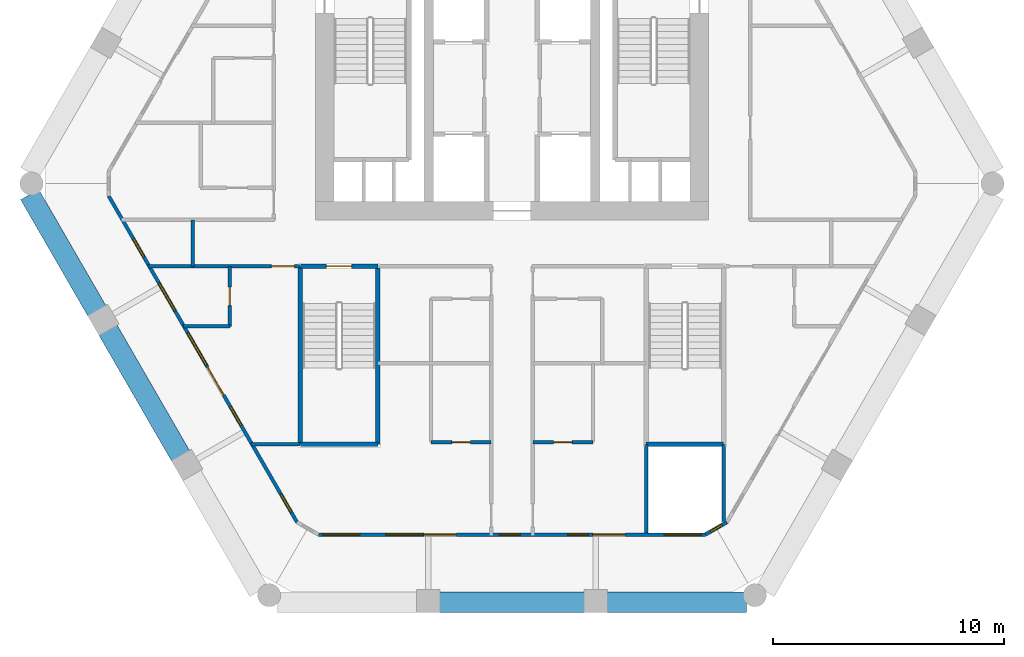
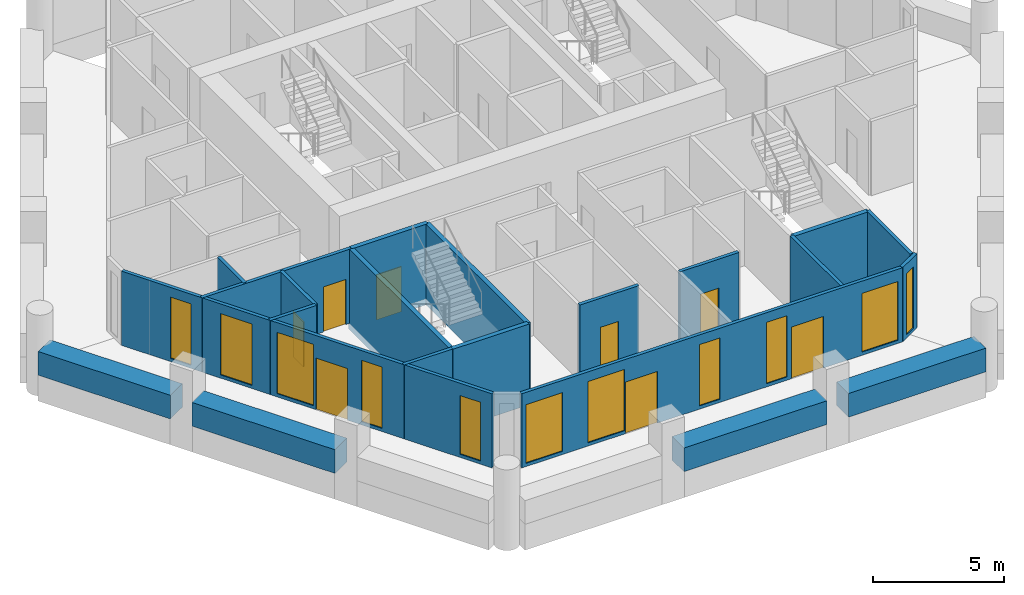
# One storey, part 2 of 7: 21 walls, 11 windows, 8 doors, 19 openings.
"""IFC4 building model written with IfcOpenShell, lengths in metres."""

import ifcopenshell
import ifcopenshell.guid

model = None  # the IFC model being written
_history = None  # IfcOwnerHistory: only IFC2X3 demands one
_inside = {}  # id of a spatial element -> (the spatial element, [elements in it])
_under = {}  # id of a project, library or spatial element -> (it, [spatial elements below it])
_declared = {}  # id of a project -> (the project, [libraries it declares])
_typed = {}  # id of a type object -> (the type object, [elements of that type])
_made_of = {}  # id of a material, layer set ... -> (it, [elements and type objects made of it])


def new_model(schema):
    """Start an empty IFC model of exactly this schema.

    Asked for "IFC4X3", IfcOpenShell would pick the latest addendum, in which some entities
    have other attributes; the version numbers below select the first issue.
    IFC2X3 requires an IfcOwnerHistory on every rooted entity: one is made here for all.
    """
    global model, _history
    if schema == "IFC4X3":
        model = ifcopenshell.file(schema_version=(4, 3, 0, 0))
    else:
        model = ifcopenshell.file(schema=schema)
    _inside.clear()
    _under.clear()
    _declared.clear()
    _typed.clear()
    _made_of.clear()
    _history = None
    if model.schema == "IFC2X3":
        org = make("IfcOrganization", Name="unknown")
        user = make(
            "IfcPersonAndOrganization",
            ThePerson=make("IfcPerson", FamilyName="unknown"),
            TheOrganization=org,
        )
        app = make(
            "IfcApplication",
            ApplicationDeveloper=org,
            Version="unknown",
            ApplicationFullName="unknown",
            ApplicationIdentifier="unknown",
        )
        _history = make(
            "IfcOwnerHistory",
            OwningUser=user,
            OwningApplication=app,
            ChangeAction="ADDED",
            CreationDate=0,
        )
    return model


def make(cls, **values):
    """One entity of the class cls with the attributes given. An attribute that is None is left unset."""
    return model.create_entity(
        cls, **{name: value for name, value in values.items() if value is not None}
    )


def rooted(cls, **values):
    """An entity with a GlobalId (a new one), such as an element, a storey or a relation."""
    return make(cls, GlobalId=ifcopenshell.guid.new(), OwnerHistory=_history, **values)


def si_unit(unit_type, name, prefix=None):
    """IfcSIUnit, for example si_unit("LENGTHUNIT", "METRE", prefix="MILLI")."""
    return make("IfcSIUnit", UnitType=unit_type, Prefix=prefix, Name=name)


def assignment(units):
    """IfcUnitAssignment: the units of a project."""
    return None if units is None else make("IfcUnitAssignment", Units=units)


def point(xyz):
    """IfcCartesianPoint."""
    return None if xyz is None else make("IfcCartesianPoint", Coordinates=xyz)


def direction(xyz):
    """IfcDirection."""
    return None if xyz is None else make("IfcDirection", DirectionRatios=xyz)


def frame(location, z_axis=None, x_axis=None):
    """IfcAxis2Placement3D, a coordinate frame: its origin and axes. An axis left out is left unset."""
    return make(
        "IfcAxis2Placement3D",
        Location=point(location),
        Axis=direction(z_axis),
        RefDirection=direction(x_axis),
    )


def frame_2d(location, x_axis=None):
    """IfcAxis2Placement2D, a coordinate frame in the plane: its origin and x axis."""
    return make(
        "IfcAxis2Placement2D", Location=point(location), RefDirection=direction(x_axis)
    )


def origin():
    """The frame at (0, 0, 0) with its axes left unset."""
    return frame((0.0, 0.0, 0.0))


def place(relative_to, where):
    """IfcLocalPlacement: puts the frame where relative to a parent placement (None: the world)."""
    return make(
        "IfcLocalPlacement", PlacementRelTo=relative_to, RelativePlacement=where
    )


def context(
    kind, dimensions, precision=None, world=None, true_north=None, identifier=None
):
    """IfcGeometricRepresentationContext, for example the 3D "Model" context."""
    return make(
        "IfcGeometricRepresentationContext",
        ContextIdentifier=identifier,
        ContextType=kind,
        CoordinateSpaceDimension=dimensions,
        Precision=precision,
        WorldCoordinateSystem=world,
        TrueNorth=true_north,
    )


def subcontext(parent, identifier, kind, view, scale=None):
    """IfcGeometricRepresentationSubContext, for example "Body" below "Model"."""
    return make(
        "IfcGeometricRepresentationSubContext",
        ContextIdentifier=identifier,
        ContextType=kind,
        ParentContext=parent,
        TargetScale=scale,
        TargetView=view,
    )


def project(units=None, contexts=None):
    """IfcProject with its units and contexts."""
    return rooted(
        "IfcProject",
        Name="project",
        RepresentationContexts=contexts,
        UnitsInContext=assignment(units),
    )


def spatial(cls, under=None, at=None, **own):
    """A site, building, storey or space (cls), placed at a placement, below another one or the project."""
    s = rooted(cls, ObjectPlacement=at, **own)
    if under is not None:
        _under.setdefault(under.id(), (under, []))[1].append(s)
    return s


def profile(cls, at=None, kind="AREA", **sizes):
    """A parametric profile (cls). Its sizes go by their IFC names, for example OverallWidth=200.0."""
    return make(cls, ProfileType=kind, Position=at, **sizes)


def rectangle(**sizes):
    """IfcRectangleProfileDef."""
    return profile("IfcRectangleProfileDef", **sizes)


def extrude(swept, where, along, depth):
    """IfcExtrudedAreaSolid: the profile swept, set in the frame where, extruded along a direction by depth."""
    return make(
        "IfcExtrudedAreaSolid",
        SweptArea=swept,
        Position=where,
        ExtrudedDirection=direction(along),
        Depth=depth,
    )


def shape(context_of_items, identifier, shape_type, items):
    """IfcShapeRepresentation: the items that make up one representation, for example the "Body"."""
    return make(
        "IfcShapeRepresentation",
        ContextOfItems=context_of_items,
        RepresentationIdentifier=identifier,
        RepresentationType=shape_type,
        Items=items,
    )


def material(Name=None, Category=None):
    """IfcMaterial."""
    return make("IfcMaterial", Name=Name, Category=Category)


def layer(
    of_material, thickness, ventilated=None, Name=None, Category=None, Priority=None
):
    """IfcMaterialLayer: one layer of a wall or slab, of a material (None: an air gap)."""
    return make(
        "IfcMaterialLayer",
        Material=of_material,
        LayerThickness=thickness,
        IsVentilated=ventilated,
        Name=Name,
        Category=Category,
        Priority=Priority,
    )


def layer_set(layers, Name=None):
    """IfcMaterialLayerSet."""
    return make("IfcMaterialLayerSet", MaterialLayers=layers, LayerSetName=Name)


def made_of(thing, what):
    """Note that an element or type object is made of a material, layer set ...; save() writes the relation."""
    if what is not None:
        _made_of.setdefault(what.id(), (what, []))[1].append(thing)
    return thing


def type_object(cls, material=None, **own):
    """A type object (cls), such as IfcWallType, which elements share."""
    return made_of(rooted(cls, **own), material)


def element(
    cls,
    number,
    at=None,
    inside=None,
    cuts=None,
    type_object=None,
    material=None,
    context=None,
    identifier="Body",
    shape_type=None,
    held_by="IfcProductDefinitionShape",
    body=None,
    shapes=None,
    **own,
):
    """One element of the class cls, such as IfcWall. Its Tag is "e" and its number.

    at: its placement. inside: the storey or other place that contains it. cuts: it is an
    opening in that element (IfcRelVoidsElement). A single representation is given by context,
    identifier, shape_type and body (its items); several are given by shapes. held_by: the class
    of the entity that holds the representations. save() writes the other relations.
    """
    e = rooted(cls, Tag="e%d" % number, ObjectPlacement=at, **own)
    if body is not None:
        shapes = [shape(context, identifier, shape_type, body)]
    if shapes is not None:
        e.Representation = make(held_by, Representations=shapes)
    if inside is not None:
        _inside.setdefault(inside.id(), (inside, []))[1].append(e)
    if cuts is not None:
        rooted(
            "IfcRelVoidsElement", RelatingBuildingElement=cuts, RelatedOpeningElement=e
        )
    if type_object is not None:
        _typed.setdefault(type_object.id(), (type_object, []))[1].append(e)
    return made_of(e, material)


def fill(opening, filler):
    """IfcRelFillsElement: the door or window that sits in an opening."""
    return rooted(
        "IfcRelFillsElement",
        RelatingOpeningElement=opening,
        RelatedBuildingElement=filler,
    )


def aggregate(whole, parts):
    """IfcRelAggregates: a whole, such as a stair, and the parts it consists of."""
    return rooted("IfcRelAggregates", RelatingObject=whole, RelatedObjects=parts)


def save(model, path):
    """Write the relations noted so far, then the file.

    IfcRelAggregates (storeys below a building ...), IfcRelContainedInSpatialStructure (elements
    in a storey), IfcRelDefinesByType, IfcRelAssociatesMaterial and IfcRelDeclares: one each for
    every whole, place, type object, material and project.
    """
    for whole, parts in _under.values():
        aggregate(whole, parts)
    for where, things in _inside.values():
        rooted(
            "IfcRelContainedInSpatialStructure",
            RelatedElements=things,
            RelatingStructure=where,
        )
    for kind, things in _typed.values():
        rooted("IfcRelDefinesByType", RelatedObjects=things, RelatingType=kind)
    for what, things in _made_of.values():
        rooted("IfcRelAssociatesMaterial", RelatedObjects=things, RelatingMaterial=what)
    for by, libraries in _declared.values():
        rooted("IfcRelDeclares", RelatingContext=by, RelatedDefinitions=libraries)
    model.write(path)


model = new_model("IFC4")

# Units and contexts
model_context = context("Model", 3, precision=1e-05, world=origin(), true_north=direction((0.0, 1.0)))
body_context = subcontext(model_context, "Body", "Model", "MODEL_VIEW")
ifc_project = project(units=[si_unit("LENGTHUNIT", "METRE"), si_unit("AREAUNIT", "SQUARE_METRE"), si_unit("VOLUMEUNIT", "CUBIC_METRE"), si_unit("PLANEANGLEUNIT", "RADIAN"), si_unit("MASSUNIT", "GRAM", prefix="KILO")], contexts=[model_context])

# Site, building, storey
site_placement = place(None, origin())
site = spatial("IfcSite", under=ifc_project, at=site_placement, CompositionType="ELEMENT")
building_placement = place(site_placement, origin())
building = spatial("IfcBuilding", under=site, at=building_placement, Name="Ostrander Bayou Hotel Tower", CompositionType="ELEMENT")
storey_placement = place(building_placement, frame((0.0, 0.0, 157.0)))
storey = spatial("IfcBuildingStorey", under=building, at=storey_placement, Name="L38", CompositionType="ELEMENT", Elevation=157.0)

# Wall, openings, door, windows
ifc_material_1 = material(Name="Aluminium framed insulated wall", Category="aluminium")
ifc_layer_1 = layer(ifc_material_1, 0.14990234375)
ifc_layer_set_1 = layer_set([ifc_layer_1], Name="GW1 glass-line wall 150 mm")
wall_type_1 = type_object("IfcWallType", Name="GW1 glass-line wall 150 mm", PredefinedType="SOLIDWALL", material=ifc_layer_set_1)
wall_1_placement = place(storey_placement, frame((-17.42822265625, -0.663330078125, 0.0), z_axis=(0.0, 0.0, 1.0), x_axis=(0.499985985267, -0.866033495043, 0.0)))
wall_1 = element("IfcWall", 1, at=wall_1_placement, inside=storey, type_object=wall_type_1, Name="GW1 L38 SW 1", PredefinedType="SOLIDWALL", context=body_context, shape_type="SweptSolid", body=[
    extrude(rectangle(XDim=16.279296875, YDim=0.14990234375, at=frame_2d((8.1396484375, 0.0))), origin(), (0.0, 0.0, 1.0), 3.449951171875),
])
opening_1_placement = place(wall_1_placement, frame((2.1396484375, 0.0, 0.14990234375)))
opening_1 = element("IfcOpeningElement", 2, at=opening_1_placement, cuts=wall_1, Name="Opening W17", PredefinedType="OPENING", context=body_context, shape_type="SweptSolid", body=[
    extrude(rectangle(XDim=0.89990234375, YDim=2.85009765625, at=frame_2d((0.449951171875, 1.425048828125))), frame((0.0, 0.074951171875, 0.0), z_axis=(0.0, -1.0, 0.0), x_axis=(1.0, 0.0, 0.0)), (0.0, 0.0, 1.0), 0.14990234375),
])
opening_2_placement = place(wall_1_placement, frame((4.339599609375, 0.0, 0.14990234375)))
opening_2 = element("IfcOpeningElement", 3, at=opening_2_placement, cuts=wall_1, Name="Opening W13", PredefinedType="OPENING", context=body_context, shape_type="SweptSolid", body=[
    extrude(rectangle(XDim=1.39990234375, YDim=2.85009765625, at=frame_2d((0.699951171875, 1.425048828125))), frame((0.0, 0.074951171875, 0.0), z_axis=(0.0, -1.0, 0.0), x_axis=(1.0, 0.0, 0.0)), (0.0, 0.0, 1.0), 0.14990234375),
])
opening_3_placement = place(wall_1_placement, frame((6.83251953125, 0.0, 0.14990234375)))
opening_3 = element("IfcOpeningElement", 4, at=opening_3_placement, cuts=wall_1, Name="Opening W3", PredefinedType="OPENING", context=body_context, shape_type="SweptSolid", body=[
    extrude(rectangle(XDim=1.60009765625, YDim=2.85009765625, at=frame_2d((0.800048828125, 1.425048828125))), frame((0.0, 0.074951171875, 0.0), z_axis=(0.0, -1.0, 0.0), x_axis=(1.0, 0.0, 0.0)), (0.0, 0.0, 1.0), 0.14990234375),
])
opening_4_placement = place(wall_1_placement, frame((8.53955078125, 0.0, 0.0)))
opening_4 = element("IfcOpeningElement", 5, at=opening_4_placement, cuts=wall_1, Name="Opening T38-801", PredefinedType="OPENING", context=body_context, shape_type="SweptSolid", body=[
    extrude(rectangle(XDim=1.39990234375, YDim=2.39990234375, at=frame_2d((0.699951171875, 1.199951171875))), frame((0.0, 0.074951171875, 0.0), z_axis=(0.0, -1.0, 0.0), x_axis=(1.0, 0.0, 0.0)), (0.0, 0.0, 1.0), 0.14990234375),
])
opening_5_placement = place(wall_1_placement, frame((10.53955078125, 0.0, 0.14990234375)))
opening_5 = element("IfcOpeningElement", 6, at=opening_5_placement, cuts=wall_1, Name="Opening W17", PredefinedType="OPENING", context=body_context, shape_type="SweptSolid", body=[
    extrude(rectangle(XDim=0.89990234375, YDim=2.85009765625, at=frame_2d((0.449951171875, 1.425048828125))), frame((0.0, 0.074951171875, 0.0), z_axis=(0.0, -1.0, 0.0), x_axis=(1.0, 0.0, 0.0)), (0.0, 0.0, 1.0), 0.14990234375),
])
opening_6_placement = place(wall_1_placement, frame((14.877197265625, 0.0, 0.14990234375)))
opening_6 = element("IfcOpeningElement", 7, at=opening_6_placement, cuts=wall_1, Name="Opening W17", PredefinedType="OPENING", context=body_context, shape_type="SweptSolid", body=[
    extrude(rectangle(XDim=0.89990234375, YDim=2.72998046875, at=frame_2d((0.449951171875, 1.364990234375))), frame((0.0, 0.074951171875, 0.0), z_axis=(0.0, -1.0, 0.0), x_axis=(1.0, 0.0, 0.0)), (0.0, 0.0, 1.0), 0.14990234375),
])
ifc_material_2 = material(Name="Aluminium and clear glass", Category="aluminium")
door_type_1 = type_object("IfcDoorType", Name="SD3 sliding glass door 1400 mm, zone 3", OperationType="SLIDING_TO_LEFT", PredefinedType="DOOR", material=ifc_material_2)
door_1_placement = place(opening_4_placement, origin())
door_1 = element("IfcDoor", 8, at=door_1_placement, inside=storey, type_object=door_type_1, Name="SD3 L38 SW 2", OperationType="SLIDING_TO_RIGHT", OverallHeight=2.39990234375, OverallWidth=1.39990234375, PredefinedType="DOOR", context=body_context, shape_type="SweptSolid", body=[
    extrude(rectangle(XDim=1.39990234375, YDim=2.39990234375, at=frame_2d((0.699951171875, 1.199951171875))), frame((0.0, 0.02490234375, 0.0), z_axis=(0.0, -1.0, 0.0), x_axis=(1.0, 0.0, 0.0)), (0.0, 0.0, 1.0), 0.050048828125),
])
fill(opening_4, door_1)
ifc_material_3 = material(Name="Aluminium and clear glass", Category="aluminium")
window_type_1 = type_object("IfcWindowType", Name="W13 fixed window 1400 mm, bath bay, zone 3", PartitioningType="SINGLE_PANEL", PredefinedType="WINDOW", material=ifc_material_3)
window_1_placement = place(opening_2_placement, origin())
window_1 = element("IfcWindow", 9, at=window_1_placement, inside=storey, type_object=window_type_1, Name="W13 L38 SW 1", OverallHeight=2.85009765625, OverallWidth=1.39990234375, PartitioningType="SINGLE_PANEL", PredefinedType="WINDOW", context=body_context, shape_type="SweptSolid", body=[
    extrude(rectangle(XDim=1.39990234375, YDim=2.85009765625, at=frame_2d((0.699951171875, 1.425048828125))), frame((0.0, 0.030029296875, 0.0), z_axis=(0.0, -1.0, 0.0), x_axis=(1.0, 0.0, 0.0)), (0.0, 0.0, 1.0), 0.06005859375),
])
fill(opening_2, window_1)
ifc_material_4 = material(Name="Aluminium and clear glass", Category="aluminium")
window_type_2 = type_object("IfcWindowType", Name="W17 window 900 mm, zone 3", PartitioningType="SINGLE_PANEL", PredefinedType="WINDOW", material=ifc_material_4)
window_2_placement = place(opening_1_placement, origin())
window_2 = element("IfcWindow", 10, at=window_2_placement, inside=storey, type_object=window_type_2, Name="W17 L38 SW 1", OverallHeight=2.85009765625, OverallWidth=0.89990234375, PartitioningType="SINGLE_PANEL", PredefinedType="WINDOW", context=body_context, shape_type="SweptSolid", body=[
    extrude(rectangle(XDim=0.89990234375, YDim=2.85009765625, at=frame_2d((0.449951171875, 1.425048828125))), frame((0.0, 0.030029296875, 0.0), z_axis=(0.0, -1.0, 0.0), x_axis=(1.0, 0.0, 0.0)), (0.0, 0.0, 1.0), 0.06005859375),
])
fill(opening_1, window_2)
window_3_placement = place(opening_5_placement, origin())
window_3 = element("IfcWindow", 11, at=window_3_placement, inside=storey, type_object=window_type_2, Name="W17 L38 SW 3", OverallHeight=2.85009765625, OverallWidth=0.89990234375, PartitioningType="SINGLE_PANEL", PredefinedType="WINDOW", context=body_context, shape_type="SweptSolid", body=[
    extrude(rectangle(XDim=0.89990234375, YDim=2.85009765625, at=frame_2d((0.449951171875, 1.425048828125))), frame((0.0, 0.030029296875, 0.0), z_axis=(0.0, -1.0, 0.0), x_axis=(1.0, 0.0, 0.0)), (0.0, 0.0, 1.0), 0.06005859375),
])
fill(opening_5, window_3)
window_4_placement = place(opening_6_placement, origin())
window_4 = element("IfcWindow", 12, at=window_4_placement, inside=storey, type_object=window_type_2, Name="W17 L38 SW E21", OverallHeight=2.72998046875, OverallWidth=0.89990234375, PartitioningType="SINGLE_PANEL", PredefinedType="WINDOW", context=body_context, shape_type="SweptSolid", body=[
    extrude(rectangle(XDim=0.89990234375, YDim=2.72998046875, at=frame_2d((0.449951171875, 1.364990234375))), frame((0.0, 0.030029296875, 0.0), z_axis=(0.0, -1.0, 0.0), x_axis=(1.0, 0.0, 0.0)), (0.0, 0.0, 1.0), 0.06005859375),
])
fill(opening_6, window_4)
ifc_material_5 = material(Name="Aluminium and clear glass", Category="aluminium")
window_type_3 = type_object("IfcWindowType", Name="W3 fixed window 1600 mm, zone 3", PartitioningType="SINGLE_PANEL", PredefinedType="WINDOW", material=ifc_material_5)
window_5_placement = place(opening_3_placement, origin())
window_5 = element("IfcWindow", 13, at=window_5_placement, inside=storey, type_object=window_type_3, Name="W3 L38 SW 2", OverallHeight=2.85009765625, OverallWidth=1.60009765625, PartitioningType="SINGLE_PANEL", PredefinedType="WINDOW", context=body_context, shape_type="SweptSolid", body=[
    extrude(rectangle(XDim=1.60009765625, YDim=2.85009765625, at=frame_2d((0.800048828125, 1.425048828125))), frame((0.0, 0.030029296875, 0.0), z_axis=(0.0, -1.0, 0.0), x_axis=(1.0, 0.0, 0.0)), (0.0, 0.0, 1.0), 0.06005859375),
])
fill(opening_3, window_5)

# Wall, openings, doors, windows
wall_2_placement = place(storey_placement, frame((-8.3662109375, -15.294189453125, 0.0), z_axis=(0.0, 0.0, 1.0), x_axis=(1.0, 0.0, 0.0)))
wall_2 = element("IfcWall", 14, at=wall_2_placement, inside=storey, type_object=wall_type_1, Name="GW1 L38 S 1", PredefinedType="SOLIDWALL", context=body_context, shape_type="SweptSolid", body=[
    extrude(rectangle(XDim=16.732421875, YDim=0.14990234375, at=frame_2d((8.3662109375, 0.0))), origin(), (0.0, 0.0, 1.0), 3.449951171875),
])
opening_7_placement = place(wall_2_placement, frame((2.916259765625, 0.0, 0.14990234375)))
opening_7 = element("IfcOpeningElement", 15, at=opening_7_placement, cuts=wall_2, Name="Opening W3", PredefinedType="OPENING", context=body_context, shape_type="SweptSolid", body=[
    extrude(rectangle(XDim=1.60009765625, YDim=2.85009765625, at=frame_2d((0.800048828125, 1.425048828125))), frame((0.0, 0.074951171875, 0.0), z_axis=(0.0, -1.0, 0.0), x_axis=(1.0, 0.0, 0.0)), (0.0, 0.0, 1.0), 0.14990234375),
])
opening_8_placement = place(wall_2_placement, frame((4.56640625, 0.0, 0.0)))
opening_8 = element("IfcOpeningElement", 16, at=opening_8_placement, cuts=wall_2, Name="Opening T38-802", PredefinedType="OPENING", context=body_context, shape_type="SweptSolid", body=[
    extrude(rectangle(XDim=1.39990234375, YDim=2.39990234375, at=frame_2d((0.699951171875, 1.199951171875))), frame((0.0, 0.074951171875, 0.0), z_axis=(0.0, -1.0, 0.0), x_axis=(1.0, 0.0, 0.0)), (0.0, 0.0, 1.0), 0.14990234375),
])
opening_9_placement = place(wall_2_placement, frame((7.81640625, 0.0, 0.14990234375)))
opening_9 = element("IfcOpeningElement", 17, at=opening_9_placement, cuts=wall_2, Name="Opening W17", PredefinedType="OPENING", context=body_context, shape_type="SweptSolid", body=[
    extrude(rectangle(XDim=0.89990234375, YDim=2.85009765625, at=frame_2d((0.449951171875, 1.425048828125))), frame((0.0, 0.074951171875, 0.0), z_axis=(0.0, -1.0, 0.0), x_axis=(1.0, 0.0, 0.0)), (0.0, 0.0, 1.0), 0.14990234375),
])
opening_10_placement = place(wall_2_placement, frame((10.766357421875, 0.0, 0.14990234375)))
opening_10 = element("IfcOpeningElement", 18, at=opening_10_placement, cuts=wall_2, Name="Opening W17", PredefinedType="OPENING", context=body_context, shape_type="SweptSolid", body=[
    extrude(rectangle(XDim=0.89990234375, YDim=2.85009765625, at=frame_2d((0.449951171875, 1.425048828125))), frame((0.0, 0.074951171875, 0.0), z_axis=(0.0, -1.0, 0.0), x_axis=(1.0, 0.0, 0.0)), (0.0, 0.0, 1.0), 0.14990234375),
])
opening_11_placement = place(wall_2_placement, frame((11.8662109375, 0.0, 0.0)))
opening_11 = element("IfcOpeningElement", 19, at=opening_11_placement, cuts=wall_2, Name="Opening T38-803", PredefinedType="OPENING", context=body_context, shape_type="SweptSolid", body=[
    extrude(rectangle(XDim=1.39990234375, YDim=2.39990234375, at=frame_2d((0.699951171875, 1.199951171875))), frame((0.0, 0.074951171875, 0.0), z_axis=(0.0, -1.0, 0.0), x_axis=(1.0, 0.0, 0.0)), (0.0, 0.0, 1.0), 0.14990234375),
])
opening_12_placement = place(wall_2_placement, frame((0.18310546875, 0.0, 0.14990234375)))
opening_12 = element("IfcOpeningElement", 20, at=opening_12_placement, cuts=wall_2, Name="Opening W3", PredefinedType="OPENING", context=body_context, shape_type="SweptSolid", body=[
    extrude(rectangle(XDim=1.60009765625, YDim=2.72998046875, at=frame_2d((0.800048828125, 1.364990234375))), frame((0.0, 0.074951171875, 0.0), z_axis=(0.0, -1.0, 0.0), x_axis=(1.0, 0.0, 0.0)), (0.0, 0.0, 1.0), 0.14990234375),
])
opening_13_placement = place(wall_2_placement, frame((14.949462890625, 0.0, 0.14990234375)))
opening_13 = element("IfcOpeningElement", 21, at=opening_13_placement, cuts=wall_2, Name="Opening W3", PredefinedType="OPENING", context=body_context, shape_type="SweptSolid", body=[
    extrude(rectangle(XDim=1.60009765625, YDim=2.72998046875, at=frame_2d((0.800048828125, 1.364990234375))), frame((0.0, 0.074951171875, 0.0), z_axis=(0.0, -1.0, 0.0), x_axis=(1.0, 0.0, 0.0)), (0.0, 0.0, 1.0), 0.14990234375),
])
door_2_placement = place(opening_8_placement, origin())
door_2 = element("IfcDoor", 22, at=door_2_placement, inside=storey, type_object=door_type_1, Name="SD3 L38 S 1", OperationType="SLIDING_TO_LEFT", OverallHeight=2.39990234375, OverallWidth=1.39990234375, PredefinedType="DOOR", context=body_context, shape_type="SweptSolid", body=[
    extrude(rectangle(XDim=1.39990234375, YDim=2.39990234375, at=frame_2d((0.699951171875, 1.199951171875))), frame((0.0, 0.02490234375, 0.0), z_axis=(0.0, -1.0, 0.0), x_axis=(1.0, 0.0, 0.0)), (0.0, 0.0, 1.0), 0.050048828125),
])
fill(opening_8, door_2)
door_3_placement = place(opening_11_placement, origin())
door_3 = element("IfcDoor", 23, at=door_3_placement, inside=storey, type_object=door_type_1, Name="SD3 L38 S 3", OperationType="SLIDING_TO_LEFT", OverallHeight=2.39990234375, OverallWidth=1.39990234375, PredefinedType="DOOR", context=body_context, shape_type="SweptSolid", body=[
    extrude(rectangle(XDim=1.39990234375, YDim=2.39990234375, at=frame_2d((0.699951171875, 1.199951171875))), frame((0.0, 0.02490234375, 0.0), z_axis=(0.0, -1.0, 0.0), x_axis=(1.0, 0.0, 0.0)), (0.0, 0.0, 1.0), 0.050048828125),
])
fill(opening_11, door_3)
window_6_placement = place(opening_9_placement, origin())
window_6 = element("IfcWindow", 24, at=window_6_placement, inside=storey, type_object=window_type_2, Name="W17 L38 S 2", OverallHeight=2.85009765625, OverallWidth=0.89990234375, PartitioningType="SINGLE_PANEL", PredefinedType="WINDOW", context=body_context, shape_type="SweptSolid", body=[
    extrude(rectangle(XDim=0.89990234375, YDim=2.85009765625, at=frame_2d((0.449951171875, 1.425048828125))), frame((0.0, 0.030029296875, 0.0), z_axis=(0.0, -1.0, 0.0), x_axis=(1.0, 0.0, 0.0)), (0.0, 0.0, 1.0), 0.06005859375),
])
fill(opening_9, window_6)
window_7_placement = place(opening_10_placement, origin())
window_7 = element("IfcWindow", 25, at=window_7_placement, inside=storey, type_object=window_type_2, Name="W17 L38 S 3", OverallHeight=2.85009765625, OverallWidth=0.89990234375, PartitioningType="SINGLE_PANEL", PredefinedType="WINDOW", context=body_context, shape_type="SweptSolid", body=[
    extrude(rectangle(XDim=0.89990234375, YDim=2.85009765625, at=frame_2d((0.449951171875, 1.425048828125))), frame((0.0, 0.030029296875, 0.0), z_axis=(0.0, -1.0, 0.0), x_axis=(1.0, 0.0, 0.0)), (0.0, 0.0, 1.0), 0.06005859375),
])
fill(opening_10, window_7)
window_8_placement = place(opening_7_placement, origin())
window_8 = element("IfcWindow", 26, at=window_8_placement, inside=storey, type_object=window_type_3, Name="W3 L38 S 1", OverallHeight=2.85009765625, OverallWidth=1.60009765625, PartitioningType="SINGLE_PANEL", PredefinedType="WINDOW", context=body_context, shape_type="SweptSolid", body=[
    extrude(rectangle(XDim=1.60009765625, YDim=2.85009765625, at=frame_2d((0.800048828125, 1.425048828125))), frame((0.0, 0.030029296875, 0.0), z_axis=(0.0, -1.0, 0.0), x_axis=(1.0, 0.0, 0.0)), (0.0, 0.0, 1.0), 0.06005859375),
])
fill(opening_7, window_8)
window_9_placement = place(opening_12_placement, origin())
window_9 = element("IfcWindow", 27, at=window_9_placement, inside=storey, type_object=window_type_3, Name="W3 L38 S E11", OverallHeight=2.72998046875, OverallWidth=1.60009765625, PartitioningType="SINGLE_PANEL", PredefinedType="WINDOW", context=body_context, shape_type="SweptSolid", body=[
    extrude(rectangle(XDim=1.60009765625, YDim=2.72998046875, at=frame_2d((0.800048828125, 1.364990234375))), frame((0.0, 0.030029296875, 0.0), z_axis=(0.0, -1.0, 0.0), x_axis=(1.0, 0.0, 0.0)), (0.0, 0.0, 1.0), 0.06005859375),
])
fill(opening_12, window_9)
window_10_placement = place(opening_13_placement, origin())
window_10 = element("IfcWindow", 28, at=window_10_placement, inside=storey, type_object=window_type_3, Name="W3 L38 S E21", OverallHeight=2.72998046875, OverallWidth=1.60009765625, PartitioningType="SINGLE_PANEL", PredefinedType="WINDOW", context=body_context, shape_type="SweptSolid", body=[
    extrude(rectangle(XDim=1.60009765625, YDim=2.72998046875, at=frame_2d((0.800048828125, 1.364990234375))), frame((0.0, 0.030029296875, 0.0), z_axis=(0.0, -1.0, 0.0), x_axis=(1.0, 0.0, 0.0)), (0.0, 0.0, 1.0), 0.06005859375),
])
fill(opening_13, window_10)

# Wall, opening, window
wall_3_placement = place(storey_placement, frame((8.3662109375, -15.294189453125, 0.0), z_axis=(0.0, 0.0, 1.0), x_axis=(0.866105447774, 0.499861334108, 0.0)))
wall_3 = element("IfcWall", 29, at=wall_3_placement, inside=storey, type_object=wall_type_1, Name="GW1 L38 corner 4", PredefinedType="SOLIDWALL", context=body_context, shape_type="SweptSolid", body=[
    extrude(rectangle(XDim=1.065185546875, YDim=0.14990234375, at=frame_2d((0.53271484375, 0.0))), origin(), (0.0, 0.0, 1.0), 3.449951171875),
])
opening_14_placement = place(wall_3_placement, frame((0.257568359375, 0.0, 0.14990234375)))
opening_14 = element("IfcOpeningElement", 30, at=opening_14_placement, cuts=wall_3, Name="Opening W19", PredefinedType="OPENING", context=body_context, shape_type="SweptSolid", body=[
    extrude(rectangle(XDim=0.550048828125, YDim=2.85009765625, at=frame_2d((0.27490234375, 1.425048828125))), frame((0.0, 0.074951171875, 0.0), z_axis=(0.0, -1.0, 0.0), x_axis=(1.0, 0.0, 0.0)), (0.0, 0.0, 1.0), 0.14990234375),
])
ifc_material_6 = material(Name="Aluminium and clear glass", Category="aluminium")
window_type_4 = type_object("IfcWindowType", Name="W19 corner window 550 mm", PartitioningType="SINGLE_PANEL", PredefinedType="WINDOW", material=ifc_material_6)
window_11_placement = place(opening_14_placement, origin())
window_11 = element("IfcWindow", 31, at=window_11_placement, inside=storey, type_object=window_type_4, Name="W19 L38 corner 4", OverallHeight=2.85009765625, OverallWidth=0.550048828125, PartitioningType="SINGLE_PANEL", PredefinedType="WINDOW", context=body_context, shape_type="SweptSolid", body=[
    extrude(rectangle(XDim=0.550048828125, YDim=2.85009765625, at=frame_2d((0.27490234375, 1.425048828125))), frame((0.0, 0.030029296875, 0.0), z_axis=(0.0, -1.0, 0.0), x_axis=(1.0, 0.0, 0.0)), (0.0, 0.0, 1.0), 0.06005859375),
])
fill(opening_14, window_11)

# Walls
ifc_material_7 = material(Name="Concrete f'c 40 MPa", Category="concrete")
ifc_layer_2 = layer(ifc_material_7, 0.89990234375)
ifc_layer_set_2 = layer_set([ifc_layer_2], Name="PA1 stone-faced parapet 900 mm")
wall_type_2 = type_object("IfcWallType", Name="PA1 stone-faced parapet 900 mm", PredefinedType="PARAPET", material=ifc_layer_set_2)
wall_4_placement = place(storey_placement, frame((-3.148193359375, -18.218994140625, 0.0), z_axis=(0.0, 0.0, 1.0), x_axis=(1.0, 0.0, 0.0)))
element("IfcWall", 32, at=wall_4_placement, inside=storey, type_object=wall_type_2, Name="PA1 L38 S-2", PredefinedType="PARAPET", context=body_context, shape_type="SweptSolid", body=[
    extrude(rectangle(XDim=6.29638671875, YDim=0.89990234375, at=frame_2d((3.148193359375, 0.0))), origin(), (0.0, 0.0, 1.0), 1.10009765625),
])
wall_5_placement = place(storey_placement, frame((4.088134765625, -18.218994140625, 0.0), z_axis=(0.0, 0.0, 1.0), x_axis=(1.0, 0.0, 0.0)))
element("IfcWall", 33, at=wall_5_placement, inside=storey, type_object=wall_type_2, Name="PA1 L38 S-3", PredefinedType="PARAPET", context=body_context, shape_type="SweptSolid", body=[
    extrude(rectangle(XDim=6.03955078125, YDim=0.89990234375, at=frame_2d((3.019775390625, 0.0))), origin(), (0.0, 0.0, 1.0), 1.10009765625),
])
ifc_material_8 = material(Name="Limestone masonry", Category="masonry")
ifc_layer_3 = layer(ifc_material_8, 0.89990234375)
ifc_layer_set_3 = layer_set([ifc_layer_3], Name="PA2 limestone parapet 900 mm")
wall_type_3 = type_object("IfcWallType", Name="PA2 limestone parapet 900 mm", PredefinedType="PARAPET", material=ifc_layer_set_3)
wall_6_placement = place(storey_placement, frame((-20.842041015625, -0.6005859375, 0.0), z_axis=(0.0, 0.0, 1.0), x_axis=(0.500019366424, -0.866014222285, 0.0)))
element("IfcWall", 34, at=wall_6_placement, inside=storey, type_object=wall_type_3, Name="PA2 L38 SW-1", PredefinedType="PARAPET", context=body_context, shape_type="SweptSolid", body=[
    extrude(rectangle(XDim=5.812744140625, YDim=0.89990234375, at=frame_2d((2.90625, 0.0))), origin(), (0.0, 0.0, 1.0), 1.10009765625),
])
wall_7_placement = place(storey_placement, frame((-17.465576171875, -6.44873046875, 0.0), z_axis=(0.0, 0.0, 1.0), x_axis=(0.500013351051, -0.866017695414, 0.0)))
element("IfcWall", 35, at=wall_7_placement, inside=storey, type_object=wall_type_3, Name="PA2 L38 SW-2", PredefinedType="PARAPET", context=body_context, shape_type="SweptSolid", body=[
    extrude(rectangle(XDim=6.296142578125, YDim=0.89990234375, at=frame_2d((3.14794921875, 0.0))), origin(), (0.0, 0.0, 1.0), 1.10009765625),
])
ifc_material_9 = material(Name="Gypsum board partition", Category="finish")
ifc_layer_4 = layer(ifc_material_9, 0.14990234375)
ifc_layer_set_4 = layer_set([ifc_layer_4], Name="PT7 riser wall 150 mm, 2 hour")
wall_type_4 = type_object("IfcWallType", Name="PT7 riser wall 150 mm, 2 hour", PredefinedType="PARTITIONING", material=ifc_layer_set_4)
wall_8_placement = place(storey_placement, frame((5.800048828125, -11.39990234375, 0.0), z_axis=(0.0, 0.0, 1.0), x_axis=(0.0, -1.0, 0.0)))
element("IfcWall", 36, at=wall_8_placement, inside=storey, type_object=wall_type_4, Name="cs:L38:021", PredefinedType="PARTITIONING", context=body_context, shape_type="SweptSolid", body=[
    extrude(rectangle(XDim=3.819091796875, YDim=0.14990234375, at=frame_2d((1.90966796875, 0.0))), origin(), (0.0, 0.0, 1.0), 3.449951171875),
])
wall_9_placement = place(storey_placement, frame((9.14990234375, -11.39990234375, 0.0), z_axis=(0.0, 0.0, 1.0), x_axis=(0.0, -1.0, 0.0)))
element("IfcWall", 37, at=wall_9_placement, inside=storey, type_object=wall_type_4, Name="cs:L38:022", PredefinedType="PARTITIONING", context=body_context, shape_type="SweptSolid", body=[
    extrude(rectangle(XDim=3.323486328125, YDim=0.14990234375, at=frame_2d((1.66162109375, 0.0))), origin(), (0.0, 0.0, 1.0), 3.449951171875),
])
ifc_material_10 = material(Name="Gypsum board partition", Category="finish")
ifc_layer_5 = layer(ifc_material_10, 0.14990234375)
ifc_layer_set_5 = layer_set([ifc_layer_5], Name="PT8 service band wall 150 mm, 1 hour")
wall_type_5 = type_object("IfcWallType", Name="PT8 service band wall 150 mm, 1 hour", PredefinedType="PARTITIONING", material=ifc_layer_set_5)
wall_10_placement = place(storey_placement, frame((-11.281005859375, -11.39990234375, 0.0), z_axis=(0.0, 0.0, 1.0), x_axis=(1.0, 0.0, 0.0)))
element("IfcWall", 38, at=wall_10_placement, inside=storey, type_object=wall_type_5, Name="gw:L38:001", PredefinedType="PARTITIONING", context=body_context, shape_type="SweptSolid", body=[
    extrude(rectangle(XDim=2.12109375, YDim=0.14990234375, at=frame_2d((1.060546875, 0.0))), origin(), (0.0, 0.0, 1.0), 3.449951171875),
])

# Wall, opening, door
wall_11_placement = place(storey_placement, frame((-3.5, -11.300048828125, 0.0), z_axis=(0.0, 0.0, 1.0), x_axis=(1.0, 0.0, 0.0)))
wall_11 = element("IfcWall", 39, at=wall_11_placement, inside=storey, type_object=wall_type_5, Name="gw:L38:002", PredefinedType="PARTITIONING", context=body_context, shape_type="SweptSolid", body=[
    extrude(rectangle(XDim=2.60009765625, YDim=0.14990234375, at=frame_2d((1.300048828125, 0.0))), origin(), (0.0, 0.0, 1.0), 3.449951171875),
])
opening_15_placement = place(wall_11_placement, frame((0.89990234375, 0.0, 0.0)))
opening_15 = element("IfcOpeningElement", 40, at=opening_15_placement, cuts=wall_11, Name="Opening T38-405", PredefinedType="OPENING", context=body_context, shape_type="SweptSolid", body=[
    extrude(rectangle(XDim=0.800048828125, YDim=2.10009765625, at=frame_2d((0.39990234375, 1.050048828125))), frame((0.0, 0.074951171875, 0.0), z_axis=(0.0, -1.0, 0.0), x_axis=(1.0, 0.0, 0.0)), (0.0, 0.0, 1.0), 0.14990234375),
])
ifc_material_11 = material(Name="Timber door leaf", Category="wood")
door_type_2 = type_object("IfcDoorType", Name="D2 bathroom door 800 x 2100 mm", OperationType="SINGLE_SWING_LEFT", PredefinedType="DOOR", material=ifc_material_11)
door_4_placement = place(opening_15_placement, origin())
door_4 = element("IfcDoor", 41, at=door_4_placement, inside=storey, type_object=door_type_2, Name="dr:L38:405", OperationType="SINGLE_SWING_RIGHT", OverallHeight=2.10009765625, OverallWidth=0.800048828125, PredefinedType="DOOR", context=body_context, shape_type="SweptSolid", body=[
    extrude(rectangle(XDim=0.800048828125, YDim=2.10009765625, at=frame_2d((0.39990234375, 1.050048828125))), frame((0.0, 0.02490234375, 0.0), z_axis=(0.0, -1.0, 0.0), x_axis=(1.0, 0.0, 0.0)), (0.0, 0.0, 1.0), 0.050048828125),
])
fill(opening_15, door_4)

wall_12_placement = place(storey_placement, frame((0.89990234375, -11.300048828125, 0.0), z_axis=(0.0, 0.0, 1.0), x_axis=(1.0, 0.0, 0.0)))
wall_12 = element("IfcWall", 42, at=wall_12_placement, inside=storey, type_object=wall_type_5, Name="gw:L38:003", PredefinedType="PARTITIONING", context=body_context, shape_type="SweptSolid", body=[
    extrude(rectangle(XDim=2.60009765625, YDim=0.14990234375, at=frame_2d((1.300048828125, 0.0))), origin(), (0.0, 0.0, 1.0), 3.449951171875),
])
opening_16_placement = place(wall_12_placement, frame((0.89990234375, 0.0, 0.0)))
opening_16 = element("IfcOpeningElement", 43, at=opening_16_placement, cuts=wall_12, Name="Opening T38-409", PredefinedType="OPENING", context=body_context, shape_type="SweptSolid", body=[
    extrude(rectangle(XDim=0.800048828125, YDim=2.10009765625, at=frame_2d((0.39990234375, 1.050048828125))), frame((0.0, 0.074951171875, 0.0), z_axis=(0.0, -1.0, 0.0), x_axis=(1.0, 0.0, 0.0)), (0.0, 0.0, 1.0), 0.14990234375),
])
door_5_placement = place(opening_16_placement, origin())
door_5 = element("IfcDoor", 44, at=door_5_placement, inside=storey, type_object=door_type_2, Name="dr:L38:409", OperationType="SINGLE_SWING_LEFT", OverallHeight=2.10009765625, OverallWidth=0.800048828125, PredefinedType="DOOR", context=body_context, shape_type="SweptSolid", body=[
    extrude(rectangle(XDim=0.800048828125, YDim=2.10009765625, at=frame_2d((0.39990234375, 1.050048828125))), frame((0.0, 0.02490234375, 0.0), z_axis=(0.0, -1.0, 0.0), x_axis=(1.0, 0.0, 0.0)), (0.0, 0.0, 1.0), 0.050048828125),
])
fill(opening_16, door_5)

# Wall
wall_13_placement = place(storey_placement, frame((-14.22607421875, -6.300048828125, 0.0), z_axis=(0.0, 0.0, 1.0), x_axis=(1.0, 0.0, 0.0)))
element("IfcWall", 45, at=wall_13_placement, inside=storey, type_object=wall_type_5, Name="gw:L38:006", PredefinedType="PARTITIONING", context=body_context, shape_type="SweptSolid", body=[
    extrude(rectangle(XDim=2.031005859375, YDim=0.14990234375, at=frame_2d((1.015625, 0.0))), origin(), (0.0, 0.0, 1.0), 3.449951171875),
])

# Wall, opening, door
wall_14_placement = place(storey_placement, frame((-15.72705078125, -3.699951171875, 0.0), z_axis=(0.0, 0.0, 1.0), x_axis=(1.0, 0.0, 0.0)))
wall_14 = element("IfcWall", 46, at=wall_14_placement, inside=storey, type_object=wall_type_5, Name="gw:L38:010", PredefinedType="PARTITIONING", context=body_context, shape_type="SweptSolid", body=[
    extrude(rectangle(XDim=6.567138671875, YDim=0.14990234375, at=frame_2d((3.28369140625, 0.0))), origin(), (0.0, 0.0, 1.0), 3.449951171875),
])
opening_17_placement = place(wall_14_placement, frame((5.326904296875, 0.0, 0.0)))
opening_17 = element("IfcOpeningElement", 47, at=opening_17_placement, cuts=wall_14, Name="Opening T38-400", PredefinedType="OPENING", context=body_context, shape_type="SweptSolid", body=[
    extrude(rectangle(XDim=1.0, YDim=2.10009765625, at=frame_2d((0.5, 1.050048828125))), frame((0.0, 0.074951171875, 0.0), z_axis=(0.0, -1.0, 0.0), x_axis=(1.0, 0.0, 0.0)), (0.0, 0.0, 1.0), 0.14990234375),
])
ifc_material_12 = material(Name="Timber door leaf", Category="wood")
door_type_3 = type_object("IfcDoorType", Name="D1 guest room door 1000 x 2100 mm, 30 minute", OperationType="SINGLE_SWING_LEFT", PredefinedType="DOOR", material=ifc_material_12)
door_6_placement = place(opening_17_placement, origin())
door_6 = element("IfcDoor", 48, at=door_6_placement, inside=storey, type_object=door_type_3, Name="dr:L38:400", OperationType="SINGLE_SWING_RIGHT", OverallHeight=2.10009765625, OverallWidth=1.0, PredefinedType="DOOR", context=body_context, shape_type="SweptSolid", body=[
    extrude(rectangle(XDim=1.0, YDim=2.10009765625, at=frame_2d((0.5, 1.050048828125))), frame((0.0, 0.02490234375, 0.0), z_axis=(0.0, -1.0, 0.0), x_axis=(1.0, 0.0, 0.0)), (0.0, 0.0, 1.0), 0.050048828125),
])
fill(opening_17, door_6)

wall_15_placement = place(storey_placement, frame((-12.195068359375, -6.300048828125, 0.0), z_axis=(0.0, 0.0, 1.0), x_axis=(0.0, 1.0, 0.0)))
wall_15 = element("IfcWall", 49, at=wall_15_placement, inside=storey, type_object=wall_type_5, Name="gw:L38:036", PredefinedType="PARTITIONING", context=body_context, shape_type="SweptSolid", body=[
    extrude(rectangle(XDim=2.60009765625, YDim=0.14990234375, at=frame_2d((1.300048828125, 0.0))), origin(), (0.0, 0.0, 1.0), 3.449951171875),
])
opening_18_placement = place(wall_15_placement, frame((0.89990234375, 0.0, 0.0)))
opening_18 = element("IfcOpeningElement", 50, at=opening_18_placement, cuts=wall_15, Name="Opening T38-401", PredefinedType="OPENING", context=body_context, shape_type="SweptSolid", body=[
    extrude(rectangle(XDim=0.800048828125, YDim=2.10009765625, at=frame_2d((0.39990234375, 1.050048828125))), frame((0.0, 0.074951171875, 0.0), z_axis=(0.0, -1.0, 0.0), x_axis=(1.0, 0.0, 0.0)), (0.0, 0.0, 1.0), 0.14990234375),
])
door_7_placement = place(opening_18_placement, origin())
door_7 = element("IfcDoor", 51, at=door_7_placement, inside=storey, type_object=door_type_2, Name="dr:L38:401", OperationType="SINGLE_SWING_RIGHT", OverallHeight=2.10009765625, OverallWidth=0.800048828125, PredefinedType="DOOR", context=body_context, shape_type="SweptSolid", body=[
    extrude(rectangle(XDim=0.800048828125, YDim=2.10009765625, at=frame_2d((0.39990234375, 1.050048828125))), frame((0.0, 0.02490234375, 0.0), z_axis=(0.0, -1.0, 0.0), x_axis=(1.0, 0.0, 0.0)), (0.0, 0.0, 1.0), 0.050048828125),
])
fill(opening_18, door_7)

# Walls
wall_16_placement = place(storey_placement, frame((-13.800048828125, -3.699951171875, 0.0), z_axis=(0.0, 0.0, 1.0), x_axis=(0.0, 1.0, 0.0)))
element("IfcWall", 52, at=wall_16_placement, inside=storey, type_object=wall_type_5, Name="gw:L38:039", PredefinedType="PARTITIONING", context=body_context, shape_type="SweptSolid", body=[
    extrude(rectangle(XDim=2.0, YDim=0.14990234375, at=frame_2d((1.0, 0.0))), origin(), (0.0, 0.0, 1.0), 3.449951171875),
])
ifc_material_13 = material(Name="Concrete f'c 45 MPa", Category="concrete")
ifc_layer_6 = layer(ifc_material_13, 0.199951171875)
ifc_layer_set_6 = layer_set([ifc_layer_6], Name="SW5 stair enclosure wall 200 mm f'c 45 MPa")
wall_type_6 = type_object("IfcWallType", Name="SW5 stair enclosure wall 200 mm f'c 45 MPa", PredefinedType="SOLIDWALL", material=ifc_layer_set_6)
wall_17_placement = place(storey_placement, frame((5.800048828125, -11.39990234375, -0.300048828125), z_axis=(0.0, 0.0, 1.0), x_axis=(1.0, 0.0, 0.0)))
element("IfcWall", 53, at=wall_17_placement, inside=storey, type_object=wall_type_6, Name="cs:L38:020", PredefinedType="SOLIDWALL", context=body_context, shape_type="SweptSolid", body=[
    extrude(rectangle(XDim=3.349853515625, YDim=0.199951171875, at=frame_2d((1.6748046875, 0.0))), origin(), (0.0, 0.0, 1.0), 3.75),
])

# Wall, opening, door
wall_18_placement = place(storey_placement, frame((-9.14990234375, -3.699951171875, -0.300048828125), z_axis=(0.0, 0.0, 1.0), x_axis=(1.0, 0.0, 0.0)))
wall_18 = element("IfcWall", 54, at=wall_18_placement, inside=storey, type_object=wall_type_6, Name="cs:L38:023", PredefinedType="SOLIDWALL", context=body_context, shape_type="SweptSolid", body=[
    extrude(rectangle(XDim=3.349853515625, YDim=0.199951171875, at=frame_2d((1.6748046875, 0.0))), origin(), (0.0, 0.0, 1.0), 3.75),
])
opening_19_placement = place(wall_18_placement, frame((1.125, 0.0, 0.0)))
opening_19 = element("IfcOpeningElement", 55, at=opening_19_placement, cuts=wall_18, Name="Opening T38-012", PredefinedType="OPENING", context=body_context, shape_type="SweptSolid", body=[
    extrude(rectangle(XDim=1.10009765625, YDim=2.10009765625, at=frame_2d((0.550048828125, 1.050048828125))), frame((0.0, 0.10009765625, 0.0), z_axis=(0.0, -1.0, 0.0), x_axis=(1.0, 0.0, 0.0)), (0.0, 0.0, 1.0), 0.199951171875),
])
ifc_material_14 = material(Name="Timber door leaf", Category="wood")
door_type_4 = type_object("IfcDoorType", Name="D5 stair door 1100 x 2100 mm, 90 minute", OperationType="SINGLE_SWING_LEFT", PredefinedType="DOOR", material=ifc_material_14)
door_8_placement = place(opening_19_placement, origin())
door_8 = element("IfcDoor", 56, at=door_8_placement, inside=storey, type_object=door_type_4, Name="dr:L38:012", OperationType="SINGLE_SWING_LEFT", OverallHeight=2.10009765625, OverallWidth=1.10009765625, PredefinedType="DOOR", context=body_context, shape_type="SweptSolid", body=[
    extrude(rectangle(XDim=1.10009765625, YDim=2.10009765625, at=frame_2d((0.550048828125, 1.050048828125))), frame((0.0, 0.02490234375, 0.0), z_axis=(0.0, -1.0, 0.0), x_axis=(1.0, 0.0, 0.0)), (0.0, 0.0, 1.0), 0.050048828125),
])
fill(opening_19, door_8)

# Walls
for number, where, z_axis, x_axis, name in (
    (57, (-9.14990234375, -3.699951171875, -0.300048828125), (0.0, 0.0, 1.0), (0.0, -1.0, 0.0), "cs:L38:024"),
    (58, (-5.800048828125, -3.699951171875, -0.300048828125), (0.0, 0.0, 1.0), (0.0, -1.0, 0.0), "cs:L38:025"),
):
    element("IfcWall", number, at=place(storey_placement, frame(where, z_axis=z_axis, x_axis=x_axis)), inside=storey, type_object=wall_type_6, Name=name, PredefinedType="SOLIDWALL", context=body_context, shape_type="SweptSolid", body=[
        extrude(rectangle(XDim=7.699951171875, YDim=0.199951171875, at=frame_2d((3.85009765625, 0.0))), origin(), (0.0, 0.0, 1.0), 3.75),
    ])
wall_19_placement = place(storey_placement, frame((-9.14990234375, -11.39990234375, -0.300048828125), z_axis=(0.0, 0.0, 1.0), x_axis=(1.0, 0.0, 0.0)))
element("IfcWall", 59, at=wall_19_placement, inside=storey, type_object=wall_type_6, Name="cs:L38:026", PredefinedType="SOLIDWALL", context=body_context, shape_type="SweptSolid", body=[
    extrude(rectangle(XDim=3.349853515625, YDim=0.199951171875, at=frame_2d((1.6748046875, 0.0))), origin(), (0.0, 0.0, 1.0), 3.75),
])

save(model, "model.ifc")
